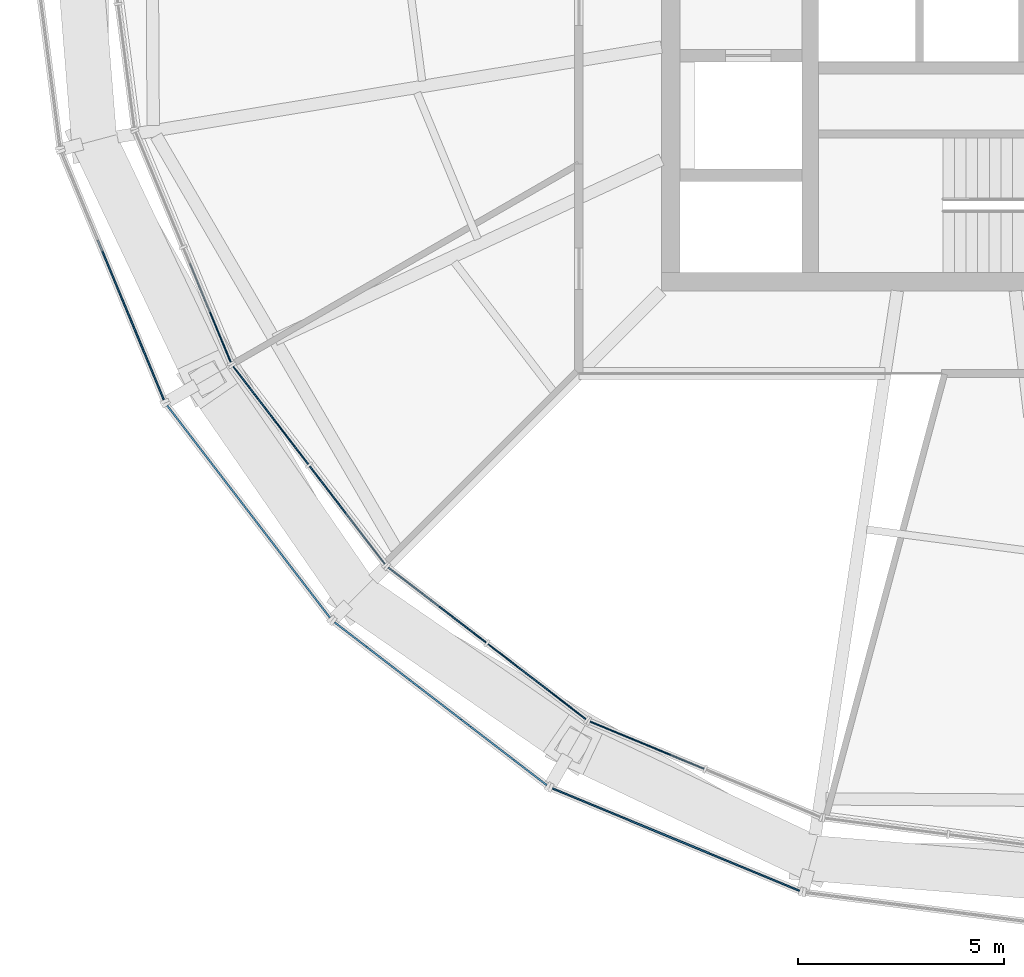
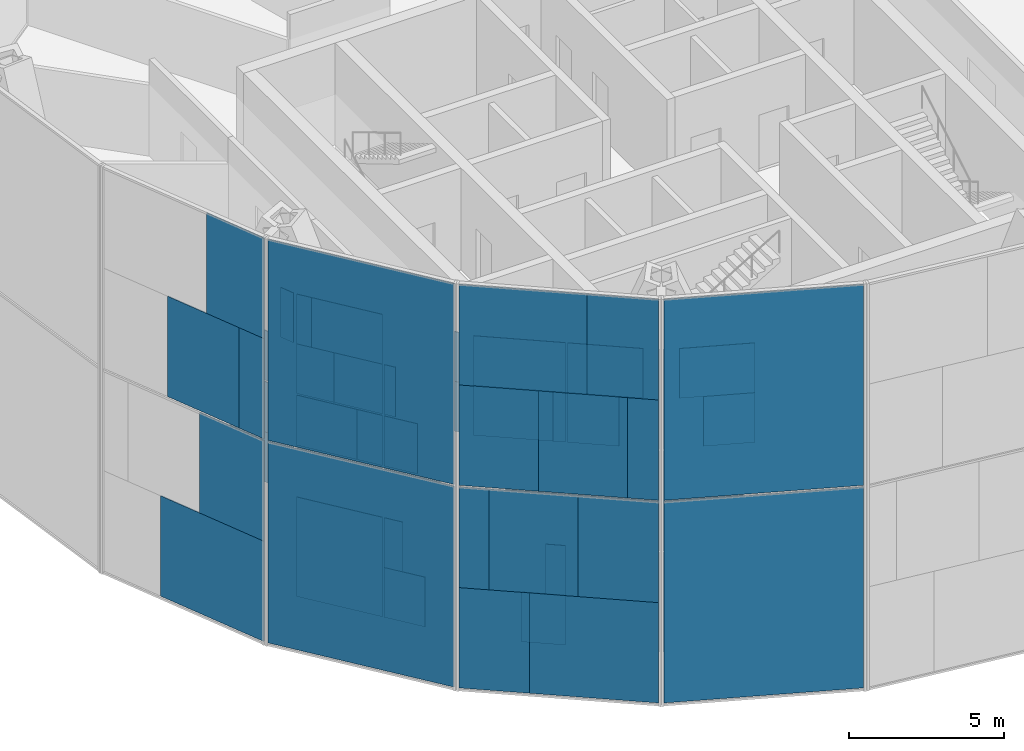
# One storey, part 11 of 26: 62 plates, 8 elements without a shape of their own.
"""IFC4 building model written with IfcOpenShell, lengths in metres."""

from ifc_helpers import new_model, si_unit, direction, frame, origin, origin_2d, place, context, subcontext, project, spatial, rectangle, extrude, material, layer, layer_set, type_object, element, aggregate, save


model = new_model("IFC4")

# Units and contexts
model_context = context("Model", 3, precision=1e-05, world=origin(), true_north=direction((0.0, 1.0)))
body_context = subcontext(model_context, "Body", "Model", "MODEL_VIEW")
ifc_project = project(units=[si_unit("LENGTHUNIT", "METRE"), si_unit("AREAUNIT", "SQUARE_METRE"), si_unit("VOLUMEUNIT", "CUBIC_METRE"), si_unit("PLANEANGLEUNIT", "RADIAN"), si_unit("MASSUNIT", "GRAM", prefix="KILO")], contexts=[model_context])

# Site, building, storey
site_placement = place(None, origin())
site = spatial("IfcSite", under=ifc_project, at=site_placement, CompositionType="ELEMENT")
building_placement = place(site_placement, origin())
building = spatial("IfcBuilding", under=site, at=building_placement, Name="Golbaran Civic Tower", CompositionType="ELEMENT")
storey_placement = place(building_placement, frame((0.0, 0.0, 199.0)))
storey = spatial("IfcBuildingStorey", under=building, at=storey_placement, Name="L48", CompositionType="ELEMENT", Elevation=199.0)

# Curtain wall, plates
ifc_material_1 = material(Name="Aluminium and glass", Category="aluminium")
curtain_wall_type_1 = type_object("IfcCurtainWallType", Name="INNER SKIN CURTAIN WALL EXECUTIVE", PredefinedType="NOTDEFINED", material=ifc_material_1)
curtain_wall_1_placement = place(storey_placement, origin())
curtain_wall_1 = element("IfcCurtainWall", 1, at=curtain_wall_1_placement, inside=storey, type_object=curtain_wall_type_1, Name="Inner skin L48 facet 14 CW2", ObjectType="INNER SKIN", PredefinedType="USERDEFINED")
ifc_material_2 = material(Name="Clear insulating glass", Category="glass")
ifc_layer_1 = layer(ifc_material_2, 0.031982421875, Name="Clear insulating glass")
ifc_layer_set_1 = layer_set([ifc_layer_1], Name="Clear insulating glass")
plate_type_1 = type_object("IfcPlateType", Name="INNER SKIN CURTAIN WALL EXECUTIVE GLAZED PANEL", PredefinedType="CURTAIN_PANEL", material=ifc_layer_set_1)
plate_1_placement = place(storey_placement, frame((-20.927490234375, -10.533447265625, 4.02978515625), z_axis=(0.0, 0.0, 1.0), x_axis=(0.382683432349, -0.923879532518, 0.0)))
plate_1 = element("IfcPlate", 2, at=plate_1_placement, type_object=plate_type_1, Name="CW2 panel 2.2 part 2", PredefinedType="CURTAIN_PANEL", context=body_context, shape_type="SweptSolid", body=[
    extrude(rectangle(XDim=2.586181640625, YDim=0.031982421875, at=origin_2d()), origin(), (0.0, 0.0, 1.0), 1.969970703125),
])
plate_2_placement = place(storey_placement, frame((-20.835693359375, -10.754638671875, 6.0), z_axis=(0.0, 0.0, 1.0), x_axis=(0.382683432349, -0.923879532518, 0.0)))
plate_2 = element("IfcPlate", 3, at=plate_2_placement, type_object=plate_type_1, Name="CW2 panel 2.2 part 4", PredefinedType="CURTAIN_PANEL", context=body_context, shape_type="SweptSolid", body=[
    extrude(rectangle(XDim=2.107177734375, YDim=0.031982421875, at=origin_2d()), origin(), (0.0, 0.0, 1.0), 1.969970703125),
])
plate_3_placement = place(storey_placement, frame((-20.68212890625, -11.125732421875, 8.030029296875), z_axis=(0.0, 0.0, 1.0), x_axis=(0.382683432349, -0.923879532518, 0.0)))
plate_3 = element("IfcPlate", 4, at=plate_3_placement, type_object=plate_type_1, Name="CW2 panel 2.3 part 2", PredefinedType="CURTAIN_PANEL", context=body_context, shape_type="SweptSolid", body=[
    extrude(rectangle(XDim=1.30419921875, YDim=0.031982421875, at=origin_2d()), origin(), (0.0, 0.0, 1.0), 1.955078125),
])
plate_4_placement = place(storey_placement, frame((-20.532958984375, -11.485595703125, 9.98486328125), z_axis=(0.0, 0.0, 1.0), x_axis=(0.382683432349, -0.923879532518, 0.0)))
plate_4 = element("IfcPlate", 5, at=plate_4_placement, type_object=plate_type_1, Name="CW2 panel 2.3 part 4", PredefinedType="CURTAIN_PANEL", context=body_context, shape_type="SweptSolid", body=[
    extrude(rectangle(XDim=0.525146484375, YDim=0.031982421875, at=origin_2d()), origin(), (0.0, 0.0, 1.0), 1.955078125),
])
aggregate(curtain_wall_1, [plate_1, plate_2, plate_3, plate_4])

curtain_wall_2_placement = place(storey_placement, origin())
curtain_wall_2 = element("IfcCurtainWall", 6, at=curtain_wall_2_placement, inside=storey, type_object=curtain_wall_type_1, Name="Inner skin L48 facet 15 CW2", ObjectType="INNER SKIN", PredefinedType="USERDEFINED")
plate_5_placement = place(storey_placement, frame((-19.464111328125, -13.015625, 0.06005859375), z_axis=(0.0, 0.0, 1.0), x_axis=(0.60876142905, -0.793353340259, 0.0)))
plate_5 = element("IfcPlate", 7, at=plate_5_placement, type_object=plate_type_1, Name="CW2 panel 1.1", PredefinedType="CURTAIN_PANEL", context=body_context, shape_type="SweptSolid", body=[
    extrude(rectangle(XDim=2.986083984375, YDim=0.031982421875, at=origin_2d()), origin(), (0.0, 0.0, 1.0), 3.909912109375),
])
plate_6_placement = place(storey_placement, frame((-19.586181640625, -12.8564453125, 4.02978515625), z_axis=(0.0, 0.0, 1.0), x_axis=(0.60876142905, -0.793353340259, 0.0)))
plate_6 = element("IfcPlate", 8, at=plate_6_placement, type_object=plate_type_1, Name="CW2 panel 1.2 part 1", PredefinedType="CURTAIN_PANEL", context=body_context, shape_type="SweptSolid", body=[
    extrude(rectangle(XDim=2.5849609375, YDim=0.031982421875, at=origin_2d()), origin(), (0.0, 0.0, 1.0), 1.969970703125),
])
plate_7_placement = place(storey_placement, frame((-19.731689453125, -12.6669921875, 6.0), z_axis=(0.0, 0.0, 1.0), x_axis=(0.60876142905, -0.793353340259, 0.0)))
plate_7 = element("IfcPlate", 9, at=plate_7_placement, type_object=plate_type_1, Name="CW2 panel 1.2 part 3", PredefinedType="CURTAIN_PANEL", context=body_context, shape_type="SweptSolid", body=[
    extrude(rectangle(XDim=2.10693359375, YDim=0.031982421875, at=origin_2d()), origin(), (0.0, 0.0, 1.0), 1.969970703125),
])
plate_8_placement = place(storey_placement, frame((-19.97607421875, -12.348388671875, 8.030029296875), z_axis=(0.0, 0.0, 1.0), x_axis=(0.60876142905, -0.793353340259, 0.0)))
plate_8 = element("IfcPlate", 10, at=plate_8_placement, type_object=plate_type_1, Name="CW2 panel 1.3 part 1", PredefinedType="CURTAIN_PANEL", context=body_context, shape_type="SweptSolid", body=[
    extrude(rectangle(XDim=1.303955078125, YDim=0.031982421875, at=origin_2d()), origin(), (0.0, 0.0, 1.0), 1.955078125),
])
plate_9_placement = place(storey_placement, frame((-20.21337890625, -12.039306640625, 9.98486328125), z_axis=(0.0, 0.0, 1.0), x_axis=(0.60876142905, -0.793353340259, 0.0)))
plate_9 = element("IfcPlate", 11, at=plate_9_placement, type_object=plate_type_1, Name="CW2 panel 1.3 part 3", PredefinedType="CURTAIN_PANEL", context=body_context, shape_type="SweptSolid", body=[
    extrude(rectangle(XDim=0.52490234375, YDim=0.031982421875, at=origin_2d()), origin(), (0.0, 0.0, 1.0), 1.955078125),
])
plate_10_placement = place(storey_placement, frame((-18.08251953125, -14.816162109375, 0.06005859375), z_axis=(0.0, 0.0, 1.0), x_axis=(0.60876142905, -0.793353340259, 0.0)))
plate_10 = element("IfcPlate", 12, at=plate_10_placement, type_object=plate_type_1, Name="CW2 panel 2.1 part 1", PredefinedType="CURTAIN_PANEL", context=body_context, shape_type="SweptSolid", body=[
    extrude(rectangle(XDim=1.43310546875, YDim=0.031982421875, at=origin_2d()), origin(), (0.0, 0.0, 1.0), 1.955078125),
])
plate_11_placement = place(storey_placement, frame((-18.319580078125, -14.507080078125, 2.014892578125), z_axis=(0.0, 0.0, 1.0), x_axis=(0.60876142905, -0.793353340259, 0.0)))
plate_11 = element("IfcPlate", 13, at=plate_11_placement, type_object=plate_type_1, Name="CW2 panel 2.1 part 3", PredefinedType="CURTAIN_PANEL", context=body_context, shape_type="SweptSolid", body=[
    extrude(rectangle(XDim=0.654052734375, YDim=0.031982421875, at=origin_2d()), origin(), (0.0, 0.0, 1.0), 1.955078125),
])
plate_12_placement = place(storey_placement, frame((-17.488037109375, -15.5908203125, 8.030029296875), z_axis=(0.0, 0.0, 1.0), x_axis=(0.60876142905, -0.793353340259, 0.0)))
plate_12 = element("IfcPlate", 14, at=plate_12_placement, type_object=plate_type_1, Name="CW2 panel 2.3 part 2", PredefinedType="CURTAIN_PANEL", context=body_context, shape_type="SweptSolid", body=[
    extrude(rectangle(XDim=2.586181640625, YDim=0.031982421875, at=origin_2d()), origin(), (0.0, 0.0, 1.0), 1.955078125),
])
plate_13_placement = place(storey_placement, frame((-17.60986328125, -15.432373046875, 9.98486328125), z_axis=(0.0, 0.0, 1.0), x_axis=(0.60876142905, -0.793353340259, 0.0)))
plate_13 = element("IfcPlate", 15, at=plate_13_placement, type_object=plate_type_1, Name="CW2 panel 2.3 part 3", PredefinedType="CURTAIN_PANEL", context=body_context, shape_type="SweptSolid", body=[
    extrude(rectangle(XDim=2.986083984375, YDim=0.031982421875, at=origin_2d()), origin(), (0.0, 0.0, 1.0), 1.955078125),
])

curtain_wall_3_placement = place(storey_placement, origin())
curtain_wall_3 = element("IfcCurtainWall", 16, at=curtain_wall_3_placement, inside=storey, type_object=curtain_wall_type_1, Name="Inner skin L48 facet 16 CW2", ObjectType="INNER SKIN", PredefinedType="USERDEFINED")
plate_14_placement = place(storey_placement, frame((-14.816162109375, -18.08251953125, 0.06005859375), z_axis=(0.0, 0.0, 1.0), x_axis=(0.793353340259, -0.60876142905, 0.0)))
plate_14 = element("IfcPlate", 17, at=plate_14_placement, type_object=plate_type_1, Name="CW2 panel 1.1 part 2", PredefinedType="CURTAIN_PANEL", context=body_context, shape_type="SweptSolid", body=[
    extrude(rectangle(XDim=1.43310546875, YDim=0.031982421875, at=origin_2d()), origin(), (0.0, 0.0, 1.0), 1.955078125),
])
plate_15_placement = place(storey_placement, frame((-14.50732421875, -18.319580078125, 2.014892578125), z_axis=(0.0, 0.0, 1.0), x_axis=(0.793353340259, -0.60876142905, 0.0)))
plate_15 = element("IfcPlate", 18, at=plate_15_placement, type_object=plate_type_1, Name="CW2 panel 1.1 part 4", PredefinedType="CURTAIN_PANEL", context=body_context, shape_type="SweptSolid", body=[
    extrude(rectangle(XDim=0.654052734375, YDim=0.031982421875, at=origin_2d()), origin(), (0.0, 0.0, 1.0), 1.955078125),
])
plate_16_placement = place(storey_placement, frame((-15.59130859375, -17.48779296875, 8.030029296875), z_axis=(0.0, 0.0, 1.0), x_axis=(0.793353340259, -0.60876142905, 0.0)))
plate_16 = element("IfcPlate", 19, at=plate_16_placement, type_object=plate_type_1, Name="CW2 panel 1.3 part 1", PredefinedType="CURTAIN_PANEL", context=body_context, shape_type="SweptSolid", body=[
    extrude(rectangle(XDim=2.5849609375, YDim=0.031982421875, at=origin_2d()), origin(), (0.0, 0.0, 1.0), 1.955078125),
])
plate_17_placement = place(storey_placement, frame((-15.432373046875, -17.60986328125, 9.98486328125), z_axis=(0.0, 0.0, 1.0), x_axis=(0.793353340259, -0.60876142905, 0.0)))
plate_17 = element("IfcPlate", 20, at=plate_17_placement, type_object=plate_type_1, Name="CW2 panel 1.3 part 3", PredefinedType="CURTAIN_PANEL", context=body_context, shape_type="SweptSolid", body=[
    extrude(rectangle(XDim=2.986083984375, YDim=0.031982421875, at=origin_2d()), origin(), (0.0, 0.0, 1.0), 1.955078125),
])
plate_18_placement = place(storey_placement, frame((-13.015625, -19.464111328125, 0.06005859375), z_axis=(0.0, 0.0, 1.0), x_axis=(0.793353340259, -0.60876142905, 0.0)))
plate_18 = element("IfcPlate", 21, at=plate_18_placement, type_object=plate_type_1, Name="CW2 panel 2.1", PredefinedType="CURTAIN_PANEL", context=body_context, shape_type="SweptSolid", body=[
    extrude(rectangle(XDim=2.986083984375, YDim=0.031982421875, at=origin_2d()), origin(), (0.0, 0.0, 1.0), 3.909912109375),
])
plate_19_placement = place(storey_placement, frame((-12.85693359375, -19.5859375, 4.02978515625), z_axis=(0.0, 0.0, 1.0), x_axis=(0.793353340259, -0.60876142905, 0.0)))
plate_19 = element("IfcPlate", 22, at=plate_19_placement, type_object=plate_type_1, Name="CW2 panel 2.2 part 2", PredefinedType="CURTAIN_PANEL", context=body_context, shape_type="SweptSolid", body=[
    extrude(rectangle(XDim=2.586181640625, YDim=0.031982421875, at=origin_2d()), origin(), (0.0, 0.0, 1.0), 1.969970703125),
])
plate_20_placement = place(storey_placement, frame((-12.6669921875, -19.731689453125, 6.0), z_axis=(0.0, 0.0, 1.0), x_axis=(0.793353340259, -0.60876142905, 0.0)))
plate_20 = element("IfcPlate", 23, at=plate_20_placement, type_object=plate_type_1, Name="CW2 panel 2.2 part 4", PredefinedType="CURTAIN_PANEL", context=body_context, shape_type="SweptSolid", body=[
    extrude(rectangle(XDim=2.107177734375, YDim=0.031982421875, at=origin_2d()), origin(), (0.0, 0.0, 1.0), 1.969970703125),
])
plate_21_placement = place(storey_placement, frame((-12.348388671875, -19.97607421875, 8.030029296875), z_axis=(0.0, 0.0, 1.0), x_axis=(0.793353340259, -0.60876142905, 0.0)))
plate_21 = element("IfcPlate", 24, at=plate_21_placement, type_object=plate_type_1, Name="CW2 panel 2.3 part 2", PredefinedType="CURTAIN_PANEL", context=body_context, shape_type="SweptSolid", body=[
    extrude(rectangle(XDim=1.30419921875, YDim=0.031982421875, at=origin_2d()), origin(), (0.0, 0.0, 1.0), 1.955078125),
])
plate_22_placement = place(storey_placement, frame((-12.039306640625, -20.21337890625, 9.98486328125), z_axis=(0.0, 0.0, 1.0), x_axis=(0.793353340259, -0.60876142905, 0.0)))
plate_22 = element("IfcPlate", 25, at=plate_22_placement, type_object=plate_type_1, Name="CW2 panel 2.3 part 4", PredefinedType="CURTAIN_PANEL", context=body_context, shape_type="SweptSolid", body=[
    extrude(rectangle(XDim=0.525146484375, YDim=0.031982421875, at=origin_2d()), origin(), (0.0, 0.0, 1.0), 1.955078125),
])

curtain_wall_4_placement = place(storey_placement, origin())
curtain_wall_4 = element("IfcCurtainWall", 26, at=curtain_wall_4_placement, inside=storey, type_object=curtain_wall_type_1, Name="Inner skin L48 facet 17 CW2", ObjectType="INNER SKIN", PredefinedType="USERDEFINED")
plate_23_placement = place(storey_placement, frame((-10.3486328125, -21.00390625, 0.06005859375), z_axis=(0.0, 0.0, 1.0), x_axis=(0.923879532518, -0.382683432349, 0.0)))
plate_23 = element("IfcPlate", 27, at=plate_23_placement, type_object=plate_type_1, Name="CW2 panel 1.1", PredefinedType="CURTAIN_PANEL", context=body_context, shape_type="SweptSolid", body=[
    extrude(rectangle(XDim=2.986083984375, YDim=0.031982421875, at=origin_2d()), origin(), (0.0, 0.0, 1.0), 3.909912109375),
])
plate_24_placement = place(storey_placement, frame((-10.533935546875, -20.92724609375, 4.02978515625), z_axis=(0.0, 0.0, 1.0), x_axis=(0.923879532518, -0.382683432349, 0.0)))
plate_24 = element("IfcPlate", 28, at=plate_24_placement, type_object=plate_type_1, Name="CW2 panel 1.2 part 1", PredefinedType="CURTAIN_PANEL", context=body_context, shape_type="SweptSolid", body=[
    extrude(rectangle(XDim=2.5849609375, YDim=0.031982421875, at=origin_2d()), origin(), (0.0, 0.0, 1.0), 1.969970703125),
])
plate_25_placement = place(storey_placement, frame((-10.754638671875, -20.835693359375, 6.0), z_axis=(0.0, 0.0, 1.0), x_axis=(0.923879532518, -0.382683432349, 0.0)))
plate_25 = element("IfcPlate", 29, at=plate_25_placement, type_object=plate_type_1, Name="CW2 panel 1.2 part 3", PredefinedType="CURTAIN_PANEL", context=body_context, shape_type="SweptSolid", body=[
    extrude(rectangle(XDim=2.10693359375, YDim=0.031982421875, at=origin_2d()), origin(), (0.0, 0.0, 1.0), 1.969970703125),
])
plate_26_placement = place(storey_placement, frame((-11.125732421875, -20.68212890625, 8.030029296875), z_axis=(0.0, 0.0, 1.0), x_axis=(0.923879532518, -0.382683432349, 0.0)))
plate_26 = element("IfcPlate", 30, at=plate_26_placement, type_object=plate_type_1, Name="CW2 panel 1.3 part 1", PredefinedType="CURTAIN_PANEL", context=body_context, shape_type="SweptSolid", body=[
    extrude(rectangle(XDim=1.303955078125, YDim=0.031982421875, at=origin_2d()), origin(), (0.0, 0.0, 1.0), 1.955078125),
])
plate_27_placement = place(storey_placement, frame((-11.485595703125, -20.532958984375, 9.98486328125), z_axis=(0.0, 0.0, 1.0), x_axis=(0.923879532518, -0.382683432349, 0.0)))
plate_27 = element("IfcPlate", 31, at=plate_27_placement, type_object=plate_type_1, Name="CW2 panel 1.3 part 3", PredefinedType="CURTAIN_PANEL", context=body_context, shape_type="SweptSolid", body=[
    extrude(rectangle(XDim=0.52490234375, YDim=0.031982421875, at=origin_2d()), origin(), (0.0, 0.0, 1.0), 1.955078125),
])

# Plate
ifc_material_3 = material(Name="Aluminium faced opaque infill panel", Category="aluminium")
ifc_layer_2 = layer(ifc_material_3, 0.031982421875, Name="Aluminium faced opaque infill panel")
ifc_layer_set_2 = layer_set([ifc_layer_2], Name="Aluminium faced opaque infill panel")
plate_type_2 = type_object("IfcPlateType", Name="INNER SKIN CURTAIN WALL EXECUTIVE OPAQUE INFILL PANEL", PredefinedType="CURTAIN_PANEL", material=ifc_layer_set_2)
plate_28_placement = place(storey_placement, frame((-18.67724609375, -14.041015625, 4.02978515625), z_axis=(0.0, 0.0, 1.0), x_axis=(0.60876142905, -0.793353340259, 0.0)))
plate_28 = element("IfcPlate", 32, at=plate_28_placement, type_object=plate_type_2, Name="CW2 infill panel 1.2 part 2", PredefinedType="CURTAIN_PANEL", context=body_context, shape_type="SweptSolid", body=[
    extrude(rectangle(XDim=0.401123046875, YDim=0.031982421875, at=origin_2d()), origin(), (0.0, 0.0, 1.0), 1.969970703125),
])

plate_29_placement = place(storey_placement, frame((-18.82275390625, -13.851318359375, 6.0), z_axis=(0.0, 0.0, 1.0), x_axis=(0.60876142905, -0.793353340259, 0.0)))
plate_29 = element("IfcPlate", 33, at=plate_29_placement, type_object=plate_type_2, Name="CW2 infill panel 1.2 part 4", PredefinedType="CURTAIN_PANEL", context=body_context, shape_type="SweptSolid", body=[
    extrude(rectangle(XDim=0.879150390625, YDim=0.031982421875, at=origin_2d()), origin(), (0.0, 0.0, 1.0), 1.969970703125),
])

plate_30_placement = place(storey_placement, frame((-19.0673828125, -13.532958984375, 8.030029296875), z_axis=(0.0, 0.0, 1.0), x_axis=(0.60876142905, -0.793353340259, 0.0)))
plate_30 = element("IfcPlate", 34, at=plate_30_placement, type_object=plate_type_2, Name="CW2 infill panel 1.3 part 2", PredefinedType="CURTAIN_PANEL", context=body_context, shape_type="SweptSolid", body=[
    extrude(rectangle(XDim=1.68212890625, YDim=0.031982421875, at=origin_2d()), origin(), (0.0, 0.0, 1.0), 1.955078125),
])

plate_31_placement = place(storey_placement, frame((-19.304443359375, -13.223876953125, 9.98486328125), z_axis=(0.0, 0.0, 1.0), x_axis=(0.60876142905, -0.793353340259, 0.0)))
plate_31 = element("IfcPlate", 35, at=plate_31_placement, type_object=plate_type_2, Name="CW2 infill panel 1.3 part 4", PredefinedType="CURTAIN_PANEL", context=body_context, shape_type="SweptSolid", body=[
    extrude(rectangle(XDim=2.461181640625, YDim=0.031982421875, at=origin_2d()), origin(), (0.0, 0.0, 1.0), 1.955078125),
])

plate_32_placement = place(storey_placement, frame((-17.925537109375, -15.020751953125, 4.02978515625), z_axis=(0.0, 0.0, 1.0), x_axis=(0.60876142905, -0.793353340259, 0.0)))
plate_32 = element("IfcPlate", 36, at=plate_32_placement, type_object=plate_type_2, Name="CW2 infill panel 2.2 part 1", PredefinedType="CURTAIN_PANEL", context=body_context, shape_type="SweptSolid", body=[
    extrude(rectangle(XDim=1.948974609375, YDim=0.031982421875, at=origin_2d()), origin(), (0.0, 0.0, 1.0), 1.969970703125),
])

plate_33_placement = place(storey_placement, frame((-18.16455078125, -14.70947265625, 6.0), z_axis=(0.0, 0.0, 1.0), x_axis=(0.60876142905, -0.793353340259, 0.0)))
plate_33 = element("IfcPlate", 37, at=plate_33_placement, type_object=plate_type_2, Name="CW2 infill panel 2.2 part 3", PredefinedType="CURTAIN_PANEL", context=body_context, shape_type="SweptSolid", body=[
    extrude(rectangle(XDim=1.1640625, YDim=0.031982421875, at=origin_2d()), origin(), (0.0, 0.0, 1.0), 1.969970703125),
])

plate_34_placement = place(storey_placement, frame((-18.39697265625, -14.406494140625, 8.030029296875), z_axis=(0.0, 0.0, 1.0), x_axis=(0.60876142905, -0.793353340259, 0.0)))
plate_34 = element("IfcPlate", 38, at=plate_34_placement, type_object=plate_type_2, Name="CW2 infill panel 2.3 part 1", PredefinedType="CURTAIN_PANEL", context=body_context, shape_type="SweptSolid", body=[
    extrude(rectangle(XDim=0.39990234375, YDim=0.031982421875, at=origin_2d()), origin(), (0.0, 0.0, 1.0), 1.955078125),
])

aggregate(curtain_wall_2, [plate_5, plate_6, plate_28, plate_7, plate_29, plate_8, plate_30, plate_9, plate_31, plate_10, plate_11, plate_32, plate_33, plate_34, plate_12, plate_13])

plate_35_placement = place(storey_placement, frame((-15.02099609375, -17.925537109375, 4.02978515625), z_axis=(0.0, 0.0, 1.0), x_axis=(0.793353340259, -0.60876142905, 0.0)))
plate_35 = element("IfcPlate", 39, at=plate_35_placement, type_object=plate_type_2, Name="CW2 infill panel 1.2 part 2", PredefinedType="CURTAIN_PANEL", context=body_context, shape_type="SweptSolid", body=[
    extrude(rectangle(XDim=1.94921875, YDim=0.031982421875, at=origin_2d()), origin(), (0.0, 0.0, 1.0), 1.969970703125),
])

plate_36_placement = place(storey_placement, frame((-14.70947265625, -18.164306640625, 6.0), z_axis=(0.0, 0.0, 1.0), x_axis=(0.793353340259, -0.60876142905, 0.0)))
plate_36 = element("IfcPlate", 40, at=plate_36_placement, type_object=plate_type_2, Name="CW2 infill panel 1.2 part 4", PredefinedType="CURTAIN_PANEL", context=body_context, shape_type="SweptSolid", body=[
    extrude(rectangle(XDim=1.1640625, YDim=0.031982421875, at=origin_2d()), origin(), (0.0, 0.0, 1.0), 1.969970703125),
])

plate_37_placement = place(storey_placement, frame((-14.40673828125, -18.396728515625, 8.030029296875), z_axis=(0.0, 0.0, 1.0), x_axis=(0.793353340259, -0.60876142905, 0.0)))
plate_37 = element("IfcPlate", 41, at=plate_37_placement, type_object=plate_type_2, Name="CW2 infill panel 1.3 part 2", PredefinedType="CURTAIN_PANEL", context=body_context, shape_type="SweptSolid", body=[
    extrude(rectangle(XDim=0.401123046875, YDim=0.031982421875, at=origin_2d()), origin(), (0.0, 0.0, 1.0), 1.955078125),
])

plate_38_placement = place(storey_placement, frame((-14.04150390625, -18.677001953125, 4.02978515625), z_axis=(0.0, 0.0, 1.0), x_axis=(0.793353340259, -0.60876142905, 0.0)))
plate_38 = element("IfcPlate", 42, at=plate_38_placement, type_object=plate_type_2, Name="CW2 infill panel 2.2 part 1", PredefinedType="CURTAIN_PANEL", context=body_context, shape_type="SweptSolid", body=[
    extrude(rectangle(XDim=0.39990234375, YDim=0.031982421875, at=origin_2d()), origin(), (0.0, 0.0, 1.0), 1.969970703125),
])

plate_39_placement = place(storey_placement, frame((-13.8515625, -18.82275390625, 6.0), z_axis=(0.0, 0.0, 1.0), x_axis=(0.793353340259, -0.60876142905, 0.0)))
plate_39 = element("IfcPlate", 43, at=plate_39_placement, type_object=plate_type_2, Name="CW2 infill panel 2.2 part 3", PredefinedType="CURTAIN_PANEL", context=body_context, shape_type="SweptSolid", body=[
    extrude(rectangle(XDim=0.87890625, YDim=0.031982421875, at=origin_2d()), origin(), (0.0, 0.0, 1.0), 1.969970703125),
])

plate_40_placement = place(storey_placement, frame((-13.532958984375, -19.067138671875, 8.030029296875), z_axis=(0.0, 0.0, 1.0), x_axis=(0.793353340259, -0.60876142905, 0.0)))
plate_40 = element("IfcPlate", 44, at=plate_40_placement, type_object=plate_type_2, Name="CW2 infill panel 2.3 part 1", PredefinedType="CURTAIN_PANEL", context=body_context, shape_type="SweptSolid", body=[
    extrude(rectangle(XDim=1.681884765625, YDim=0.031982421875, at=origin_2d()), origin(), (0.0, 0.0, 1.0), 1.955078125),
])

plate_41_placement = place(storey_placement, frame((-13.223876953125, -19.304443359375, 9.98486328125), z_axis=(0.0, 0.0, 1.0), x_axis=(0.793353340259, -0.60876142905, 0.0)))
plate_41 = element("IfcPlate", 45, at=plate_41_placement, type_object=plate_type_2, Name="CW2 infill panel 2.3 part 3", PredefinedType="CURTAIN_PANEL", context=body_context, shape_type="SweptSolid", body=[
    extrude(rectangle(XDim=2.4609375, YDim=0.031982421875, at=origin_2d()), origin(), (0.0, 0.0, 1.0), 1.955078125),
])

aggregate(curtain_wall_3, [plate_14, plate_15, plate_35, plate_36, plate_16, plate_37, plate_17, plate_18, plate_38, plate_19, plate_39, plate_20, plate_40, plate_21, plate_41, plate_22])

plate_42_placement = place(storey_placement, frame((-9.746337890625, -21.25341796875, 8.030029296875), z_axis=(0.0, 0.0, 1.0), x_axis=(0.923879532518, -0.382683432349, 0.0)))
plate_42 = element("IfcPlate", 46, at=plate_42_placement, type_object=plate_type_2, Name="CW2 infill panel 1.3 part 2", PredefinedType="CURTAIN_PANEL", context=body_context, shape_type="SweptSolid", body=[
    extrude(rectangle(XDim=1.68212890625, YDim=0.031982421875, at=origin_2d()), origin(), (0.0, 0.0, 1.0), 1.955078125),
])

plate_43_placement = place(storey_placement, frame((-10.106201171875, -21.1044921875, 9.98486328125), z_axis=(0.0, 0.0, 1.0), x_axis=(0.923879532518, -0.382683432349, 0.0)))
plate_43 = element("IfcPlate", 47, at=plate_43_placement, type_object=plate_type_2, Name="CW2 infill panel 1.3 part 4", PredefinedType="CURTAIN_PANEL", context=body_context, shape_type="SweptSolid", body=[
    extrude(rectangle(XDim=2.461181640625, YDim=0.031982421875, at=origin_2d()), origin(), (0.0, 0.0, 1.0), 1.955078125),
])

aggregate(curtain_wall_4, [plate_23, plate_24, plate_25, plate_26, plate_42, plate_27, plate_43])

# Curtain wall, plates
curtain_wall_type_2 = type_object("IfcCurtainWallType", Name="OUTER SKIN TERRACOTTA SCREEN", PredefinedType="NOTDEFINED", material=ifc_material_1)
curtain_wall_5_placement = place(storey_placement, origin())
curtain_wall_5 = element("IfcCurtainWall", 48, at=curtain_wall_5_placement, inside=storey, type_object=curtain_wall_type_2, Name="Outer skin L48 facet 14 CW3", ObjectType="OUTER SKIN", PredefinedType="USERDEFINED")
ifc_material_4 = material(Name="Clear laminated glass", Category="glass")
ifc_layer_3 = layer(ifc_material_4, 0.0400390625, Name="Clear laminated glass")
ifc_layer_set_3 = layer_set([ifc_layer_3], Name="Clear laminated glass")
plate_type_3 = type_object("IfcPlateType", Name="OUTER SKIN CLEAR GLASS PANEL", PredefinedType="CURTAIN_PANEL", material=ifc_layer_set_3)
plate_44_placement = place(storey_placement, frame((-22.852783203125, -10.706298828125, -0.6298828125), z_axis=(0.0, 0.0, 1.0), x_axis=(0.382683432446, -0.923879532478, 0.0)))
plate_44 = element("IfcPlate", 49, at=plate_44_placement, type_object=plate_type_3, Name="CW3 panel 1.1 part 2", PredefinedType="CURTAIN_PANEL", context=body_context, shape_type="SweptSolid", body=[
    extrude(rectangle(XDim=4.18603515625, YDim=0.0400390625, at=origin_2d()), origin(), (0.0, 0.0, 1.0), 3.93994140625),
])
plate_45_placement = place(storey_placement, frame((-22.552734375, -11.43115234375, 3.31005859375), z_axis=(0.0, 0.0, 1.0), x_axis=(0.382683432446, -0.923879532478, 0.0)))
plate_45 = element("IfcPlate", 50, at=plate_45_placement, type_object=plate_type_3, Name="CW3 panel 1.1 part 5", PredefinedType="CURTAIN_PANEL", context=body_context, shape_type="SweptSolid", body=[
    extrude(rectangle(XDim=2.616943359375, YDim=0.0400390625, at=origin_2d()), origin(), (0.0, 0.0, 1.0), 3.93994140625),
])
plate_46_placement = place(storey_placement, frame((-22.24609375, -12.171142578125, 7.330078125), z_axis=(0.0, 0.0, 1.0), x_axis=(0.382683432446, -0.923879532478, 0.0)))
plate_46 = element("IfcPlate", 51, at=plate_46_placement, type_object=plate_type_3, Name="CW3 panel 1.2 part 3", PredefinedType="CURTAIN_PANEL", context=body_context, shape_type="SweptSolid", body=[
    extrude(rectangle(XDim=1.01513671875, YDim=0.0400390625, at=origin_2d()), origin(), (0.0, 0.0, 1.0), 3.93994140625),
])

curtain_wall_6_placement = place(storey_placement, origin())
curtain_wall_6 = element("IfcCurtainWall", 52, at=curtain_wall_6_placement, inside=storey, type_object=curtain_wall_type_2, Name="Outer skin L48 facet 16 CW3", ObjectType="OUTER SKIN", PredefinedType="USERDEFINED")
plate_47_placement = place(storey_placement, frame((-14.43798828125, -20.698486328125, -0.6298828125), z_axis=(0.0, 0.0, 1.0), x_axis=(0.793353340323, -0.608761428967, 0.0)))
plate_47 = element("IfcPlate", 53, at=plate_47_placement, type_object=plate_type_3, Name="CW3 panel 1.1 part 2", PredefinedType="CURTAIN_PANEL", context=body_context, shape_type="SweptSolid", body=[
    extrude(rectangle(XDim=4.18603515625, YDim=0.0400390625, at=origin_2d()), origin(), (0.0, 0.0, 1.0), 3.93994140625),
])
plate_48_placement = place(storey_placement, frame((-17.53076171875, -18.3251953125, 3.31005859375), z_axis=(0.0, 0.0, 1.0), x_axis=(0.793353340323, -0.608761428967, 0.0)))
plate_48 = element("IfcPlate", 54, at=plate_48_placement, type_object=plate_type_3, Name="CW3 panel 1.1 part 3", PredefinedType="CURTAIN_PANEL", context=body_context, shape_type="SweptSolid", body=[
    extrude(rectangle(XDim=0.972900390625, YDim=0.0400390625, at=origin_2d()), origin(), (0.0, 0.0, 1.0), 3.93994140625),
])
plate_49_placement = place(storey_placement, frame((-13.815673828125, -21.176025390625, 3.31005859375), z_axis=(0.0, 0.0, 1.0), x_axis=(0.793353340323, -0.608761428967, 0.0)))
plate_49 = element("IfcPlate", 55, at=plate_49_placement, type_object=plate_type_3, Name="CW3 panel 1.1 part 5", PredefinedType="CURTAIN_PANEL", context=body_context, shape_type="SweptSolid", body=[
    extrude(rectangle(XDim=2.616943359375, YDim=0.0400390625, at=origin_2d()), origin(), (0.0, 0.0, 1.0), 3.93994140625),
])
plate_50_placement = place(storey_placement, frame((-16.89501953125, -18.81298828125, 7.330078125), z_axis=(0.0, 0.0, 1.0), x_axis=(0.793353340323, -0.608761428967, 0.0)))
plate_50 = element("IfcPlate", 56, at=plate_50_placement, type_object=plate_type_3, Name="CW3 panel 1.2 part 1", PredefinedType="CURTAIN_PANEL", context=body_context, shape_type="SweptSolid", body=[
    extrude(rectangle(XDim=2.575927734375, YDim=0.0400390625, at=origin_2d()), origin(), (0.0, 0.0, 1.0), 3.93994140625),
])
plate_51_placement = place(storey_placement, frame((-13.18017578125, -21.66357421875, 7.330078125), z_axis=(0.0, 0.0, 1.0), x_axis=(0.793353340323, -0.608761428967, 0.0)))
plate_51 = element("IfcPlate", 57, at=plate_51_placement, type_object=plate_type_3, Name="CW3 panel 1.2 part 3", PredefinedType="CURTAIN_PANEL", context=body_context, shape_type="SweptSolid", body=[
    extrude(rectangle(XDim=1.01513671875, YDim=0.0400390625, at=origin_2d()), origin(), (0.0, 0.0, 1.0), 3.93994140625),
])
plate_52_placement = place(storey_placement, frame((-16.27099609375, -19.2919921875, 11.27001953125), z_axis=(0.0, 0.0, 1.0), x_axis=(0.793353340323, -0.608761428967, 0.0)))
plate_52 = element("IfcPlate", 58, at=plate_52_placement, type_object=plate_type_3, Name="CW3 panel 1.2 part 4", PredefinedType="CURTAIN_PANEL", context=body_context, shape_type="SweptSolid", body=[
    extrude(rectangle(XDim=4.14892578125, YDim=0.0400390625, at=origin_2d()), origin(), (0.0, 0.0, 1.0), 3.93994140625),
])

# Plate
ifc_material_5 = material(Name="Terracotta baguette screen", Category="masonry")
ifc_layer_4 = layer(ifc_material_5, 0.0400390625, Name="Terracotta baguette screen")
ifc_layer_set_4 = layer_set([ifc_layer_4], Name="Terracotta baguette screen")
plate_type_4 = type_object("IfcPlateType", Name="OUTER SKIN TERRACOTTA INFILL PANEL", PredefinedType="CURTAIN_PANEL", material=ifc_layer_set_4)
plate_53_placement = place(storey_placement, frame((-22.99267578125, -10.36865234375, 7.330078125), z_axis=(0.0, 0.0, 1.0), x_axis=(0.382683432446, -0.923879532478, 0.0)))
plate_53 = element("IfcPlate", 59, at=plate_53_placement, type_object=plate_type_4, Name="CW3 infill panel 1.2 part 2", PredefinedType="CURTAIN_PANEL", context=body_context, shape_type="SweptSolid", body=[
    extrude(rectangle(XDim=2.886962890625, YDim=0.0400390625, at=origin_2d()), origin(), (0.0, 0.0, 1.0), 3.93994140625),
])

plate_54_placement = place(storey_placement, frame((-22.49755859375, -11.564208984375, 11.27001953125), z_axis=(0.0, 0.0, 1.0), x_axis=(0.382683432446, -0.923879532478, 0.0)))
plate_54 = element("IfcPlate", 60, at=plate_54_placement, type_object=plate_type_4, Name="CW3 infill panel 1.2 part 5", PredefinedType="CURTAIN_PANEL", context=body_context, shape_type="SweptSolid", body=[
    extrude(rectangle(XDim=2.3291015625, YDim=0.0400390625, at=origin_2d()), origin(), (0.0, 0.0, 1.0), 3.93994140625),
])

aggregate(curtain_wall_5, [plate_44, plate_45, plate_53, plate_46, plate_54])

plate_55_placement = place(storey_placement, frame((-17.007568359375, -18.7265625, -0.6298828125), z_axis=(0.0, 0.0, 1.0), x_axis=(0.793353340323, -0.608761428967, 0.0)))
plate_55 = element("IfcPlate", 61, at=plate_55_placement, type_object=plate_type_4, Name="CW3 infill panel 1.1 part 1", PredefinedType="CURTAIN_PANEL", context=body_context, shape_type="SweptSolid", body=[
    extrude(rectangle(XDim=2.2919921875, YDim=0.0400390625, at=origin_2d()), origin(), (0.0, 0.0, 1.0), 3.93994140625),
])

plate_56_placement = place(storey_placement, frame((-15.999267578125, -19.50048828125, 3.31005859375), z_axis=(0.0, 0.0, 1.0), x_axis=(0.793353340323, -0.608761428967, 0.0)))
plate_56 = element("IfcPlate", 62, at=plate_56_placement, type_object=plate_type_4, Name="CW3 infill panel 1.1 part 4", PredefinedType="CURTAIN_PANEL", context=body_context, shape_type="SweptSolid", body=[
    extrude(rectangle(XDim=2.887939453125, YDim=0.0400390625, at=origin_2d()), origin(), (0.0, 0.0, 1.0), 3.93994140625),
])

plate_57_placement = place(storey_placement, frame((-14.72802734375, -20.475830078125, 7.330078125), z_axis=(0.0, 0.0, 1.0), x_axis=(0.793353340323, -0.608761428967, 0.0)))
plate_57 = element("IfcPlate", 63, at=plate_57_placement, type_object=plate_type_4, Name="CW3 infill panel 1.2 part 2", PredefinedType="CURTAIN_PANEL", context=body_context, shape_type="SweptSolid", body=[
    extrude(rectangle(XDim=2.886962890625, YDim=0.0400390625, at=origin_2d()), origin(), (0.0, 0.0, 1.0), 3.93994140625),
])

plate_58_placement = place(storey_placement, frame((-13.701416015625, -21.263671875, 11.27001953125), z_axis=(0.0, 0.0, 1.0), x_axis=(0.793353340323, -0.608761428967, 0.0)))
plate_58 = element("IfcPlate", 64, at=plate_58_placement, type_object=plate_type_4, Name="CW3 infill panel 1.2 part 5", PredefinedType="CURTAIN_PANEL", context=body_context, shape_type="SweptSolid", body=[
    extrude(rectangle(XDim=2.3291015625, YDim=0.0400390625, at=origin_2d()), origin(), (0.0, 0.0, 1.0), 3.93994140625),
])

aggregate(curtain_wall_6, [plate_55, plate_47, plate_48, plate_56, plate_49, plate_50, plate_57, plate_51, plate_52, plate_58])

# Curtain wall, plates
curtain_wall_7_placement = place(storey_placement, origin())
curtain_wall_7 = element("IfcCurtainWall", 65, at=curtain_wall_7_placement, inside=storey, type_object=curtain_wall_type_2, Name="Outer skin L48 facet 15 CW3", ObjectType="OUTER SKIN", PredefinedType="USERDEFINED")
ifc_layer_5 = layer(ifc_material_5, 0.0400390625, Name="Terracotta baguette screen")
ifc_layer_set_5 = layer_set([ifc_layer_5], Name="Terracotta baguette screen")
plate_type_5 = type_object("IfcPlateType", Name="OUTER SKIN TERRACOTTA SCREEN PANEL", PredefinedType="CURTAIN_PANEL", material=ifc_layer_set_5)
plate_59_placement = place(storey_placement, frame((-20.000732421875, -15.34716796875, -0.6298828125), z_axis=(0.0, 0.0, 1.0), x_axis=(0.608761428967, -0.793353340323, 0.0)))
plate_59 = element("IfcPlate", 66, at=plate_59_placement, type_object=plate_type_5, Name="CW3 terracotta screen panel 1.1", PredefinedType="CURTAIN_PANEL", context=body_context, shape_type="SweptSolid", body=[
    extrude(rectangle(XDim=6.47802734375, YDim=0.0400390625, at=origin_2d()), origin(), (0.0, 0.0, 1.0), 7.8798828125),
])
plate_60_placement = place(storey_placement, frame((-20.000732421875, -15.34716796875, 7.330078125), z_axis=(0.0, 0.0, 1.0), x_axis=(0.608761428967, -0.793353340323, 0.0)))
plate_60 = element("IfcPlate", 67, at=plate_60_placement, type_object=plate_type_5, Name="CW3 terracotta screen panel 1.2", PredefinedType="CURTAIN_PANEL", context=body_context, shape_type="SweptSolid", body=[
    extrude(rectangle(XDim=6.47802734375, YDim=0.0400390625, at=origin_2d()), origin(), (0.0, 0.0, 1.0), 7.8798828125),
])
aggregate(curtain_wall_7, [plate_59, plate_60])

curtain_wall_8_placement = place(storey_placement, origin())
curtain_wall_8 = element("IfcCurtainWall", 68, at=curtain_wall_8_placement, inside=storey, type_object=curtain_wall_type_2, Name="Outer skin L48 facet 17 CW3", ObjectType="OUTER SKIN", PredefinedType="USERDEFINED")
plate_61_placement = place(storey_placement, frame((-9.647705078125, -23.29150390625, -0.6298828125), z_axis=(0.0, 0.0, 1.0), x_axis=(0.923879532478, -0.382683432446, 0.0)))
plate_61 = element("IfcPlate", 69, at=plate_61_placement, type_object=plate_type_5, Name="CW3 terracotta screen panel 1.1", PredefinedType="CURTAIN_PANEL", context=body_context, shape_type="SweptSolid", body=[
    extrude(rectangle(XDim=6.47802734375, YDim=0.0400390625, at=origin_2d()), origin(), (0.0, 0.0, 1.0), 7.8798828125),
])
plate_62_placement = place(storey_placement, frame((-9.647705078125, -23.29150390625, 7.330078125), z_axis=(0.0, 0.0, 1.0), x_axis=(0.923879532478, -0.382683432446, 0.0)))
plate_62 = element("IfcPlate", 70, at=plate_62_placement, type_object=plate_type_5, Name="CW3 terracotta screen panel 1.2", PredefinedType="CURTAIN_PANEL", context=body_context, shape_type="SweptSolid", body=[
    extrude(rectangle(XDim=6.47802734375, YDim=0.0400390625, at=origin_2d()), origin(), (0.0, 0.0, 1.0), 7.8798828125),
])
aggregate(curtain_wall_8, [plate_61, plate_62])

save(model, "model.ifc")
